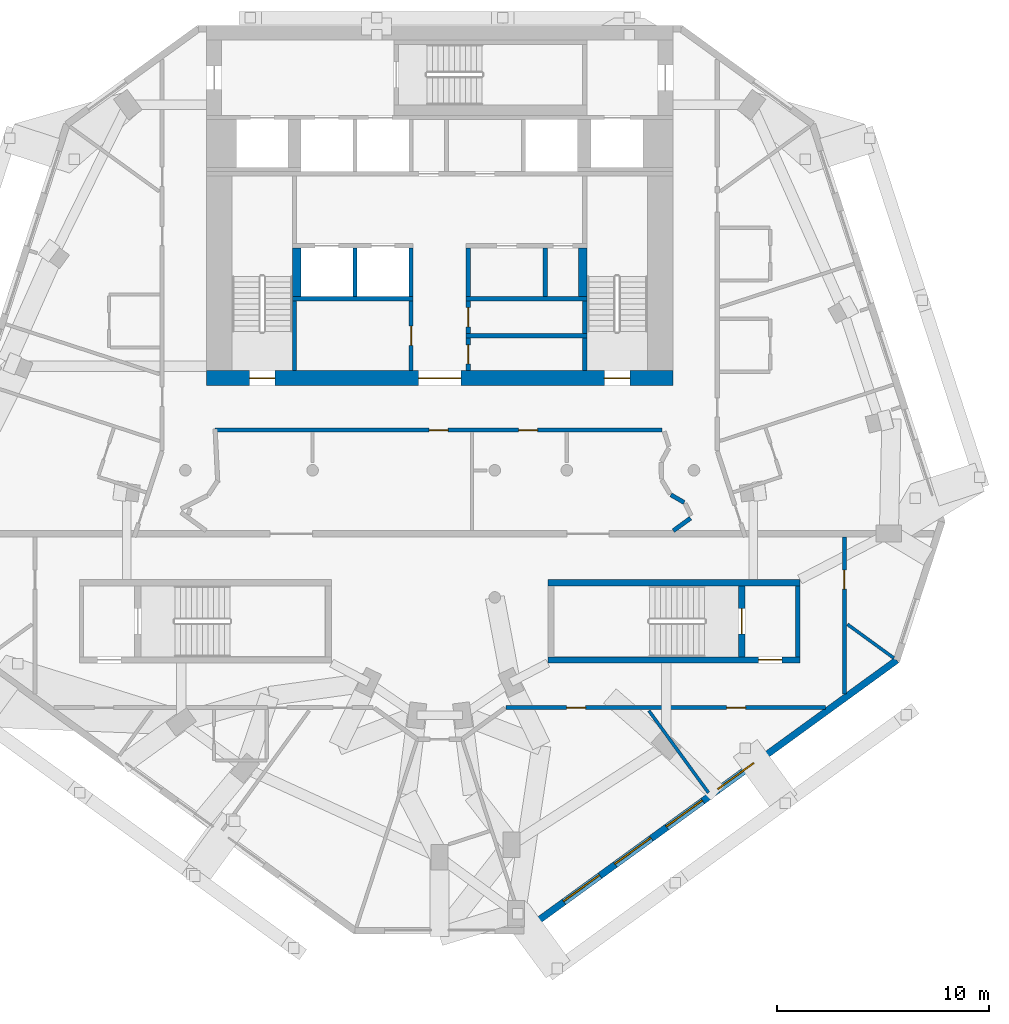
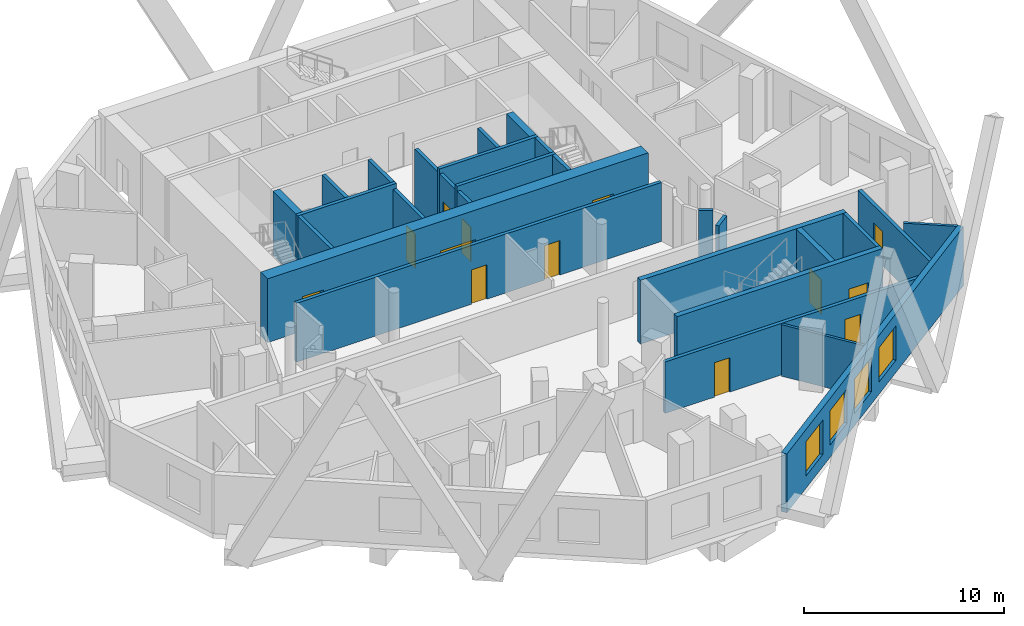
# One storey, part 5 of 10: 28 walls, 13 doors, 4 windows, 17 openings.
"""IFC4 building model written with IfcOpenShell, lengths in metres."""

from ifc_helpers import new_model, si_unit, direction, frame, frame_2d, origin, place, context, subcontext, project, spatial, rectangle, extrude, material, layer, layer_set, type_object, element, fill, save


model = new_model("IFC4")

# Units and contexts
model_context = context("Model", 3, precision=1e-05, world=origin(), true_north=direction((0.0, 1.0)))
body_context = subcontext(model_context, "Body", "Model", "MODEL_VIEW")
ifc_project = project(units=[si_unit("LENGTHUNIT", "METRE"), si_unit("AREAUNIT", "SQUARE_METRE"), si_unit("VOLUMEUNIT", "CUBIC_METRE"), si_unit("PLANEANGLEUNIT", "RADIAN"), si_unit("MASSUNIT", "GRAM", prefix="KILO")], contexts=[model_context])

# Site, building, storey
site_placement = place(None, origin())
site = spatial("IfcSite", under=ifc_project, at=site_placement, CompositionType="ELEMENT")
building_placement = place(site_placement, origin())
building = spatial("IfcBuilding", under=site, at=building_placement, Name="White Candle Pilgrim Tower", CompositionType="ELEMENT")
storey_placement = place(building_placement, frame((0.0, 0.0, 248.300048828125)))
storey = spatial("IfcBuildingStorey", under=building, at=storey_placement, Name="L58", CompositionType="ELEMENT", Elevation=248.300048828125)

# Wall
ifc_material_1 = material(Name="Concrete C50/60", Category="concrete")
ifc_layer_1 = layer(ifc_material_1, 0.199951171875)
ifc_layer_set_1 = layer_set([ifc_layer_1], Name="Core wall 200 mm Concrete C50/60")
wall_type_1 = type_object("IfcWallType", Name="Core wall 200 mm Concrete C50/60", PredefinedType="SHEAR", material=ifc_layer_set_1)
wall_1_placement = place(storey_placement, frame((86.89990234375, 58.199951171875, 0.0), z_axis=(0.0, 0.0, 1.0), x_axis=(0.0, 1.0, 0.0)))
element("IfcWall", 1, at=wall_1_placement, inside=storey, type_object=wall_type_1, Name="WL-L58-C08", PredefinedType="SHEAR", context=body_context, shape_type="SweptSolid", body=[
    extrude(rectangle(XDim=3.35009765625, YDim=0.199951171875, at=frame_2d((1.675048828125, 0.0))), origin(), (0.0, 0.0, 1.0), 3.89990234375),
])

# Wall, opening, door
ifc_material_2 = material(Name="Gypsum board on steel studs", Category="steel")
ifc_layer_2 = layer(ifc_material_2, 0.199951171875)
ifc_layer_set_2 = layer_set([ifc_layer_2], Name="Corridor wall 200 mm EI 45")
wall_type_2 = type_object("IfcWallType", Name="Corridor wall 200 mm EI 45", PredefinedType="PARTITIONING", material=ifc_layer_set_2)
wall_2_placement = place(storey_placement, frame((89.10009765625, 63.85009765625, 0.0), z_axis=(0.0, 0.0, 1.0), x_axis=(0.0, -1.0, 0.0)))
wall_2 = element("IfcWall", 2, at=wall_2_placement, inside=storey, type_object=wall_type_2, Name="WL-L58-P006", PredefinedType="PARTITIONING", context=body_context, shape_type="SweptSolid", body=[
    extrude(rectangle(XDim=7.40673828125, YDim=0.199951171875, at=frame_2d((3.703369140625, 0.0))), origin(), (0.0, 0.0, 1.0), 3.14990234375),
])
opening_1_placement = place(wall_2_placement, frame((1.5576171875, 0.0, 0.0)))
opening_1 = element("IfcOpeningElement", 3, at=opening_1_placement, cuts=wall_2, Name="Opening T18-111", PredefinedType="OPENING", context=body_context, shape_type="SweptSolid", body=[
    extrude(rectangle(XDim=0.89990234375, YDim=2.10009765625, at=frame_2d((0.449951171875, 1.050048828125))), frame((0.0, 0.10986328125, 0.0), z_axis=(0.0, -1.0, 0.0), x_axis=(1.0, 0.0, 0.0)), (0.0, 0.0, 1.0), 0.219970703125),
])
ifc_material_3 = material(Name="Steel door leaf", Category="steel")
door_type_1 = type_object("IfcDoorType", Name="Fire door 900 x 2100 EI 30", OperationType="NOTDEFINED", PredefinedType="DOOR", material=ifc_material_3)
door_1_placement = place(opening_1_placement, origin())
door_1 = element("IfcDoor", 4, at=door_1_placement, inside=storey, type_object=door_type_1, Name="Door T18-111", OperationType="SINGLE_SWING_LEFT", OverallHeight=2.10009765625, OverallWidth=0.89990234375, PredefinedType="DOOR", context=body_context, shape_type="SweptSolid", body=[
    extrude(rectangle(XDim=0.89990234375, YDim=2.10009765625, at=frame_2d((0.449951171875, 1.050048828125))), frame((0.0, 0.02490234375, 0.0), z_axis=(0.0, -1.0, 0.0), x_axis=(1.0, 0.0, 0.0)), (0.0, 0.0, 1.0), 0.050048828125),
])
fill(opening_1, door_1)

# Wall, openings, doors
wall_3_placement = place(storey_placement, frame((88.21435546875, 55.800048828125, 0.0), z_axis=(0.0, 0.0, 1.0), x_axis=(-1.0, 0.0, 0.0)))
wall_3 = element("IfcWall", 5, at=wall_3_placement, inside=storey, type_object=wall_type_2, Name="WL-L58-P007", PredefinedType="PARTITIONING", context=body_context, shape_type="SweptSolid", body=[
    extrude(rectangle(XDim=15.074951171875, YDim=0.199951171875, at=frame_2d((7.53759765625, 0.0))), origin(), (0.0, 0.0, 1.0), 3.14990234375),
])
opening_2_placement = place(wall_3_placement, frame((11.327392578125, 0.0, 0.0)))
opening_2 = element("IfcOpeningElement", 6, at=opening_2_placement, cuts=wall_3, Name="Opening T18-109", PredefinedType="OPENING", context=body_context, shape_type="SweptSolid", body=[
    extrude(rectangle(XDim=0.89990234375, YDim=2.10009765625, at=frame_2d((0.449951171875, 1.050048828125))), frame((0.0, 0.10986328125, 0.0), z_axis=(0.0, -1.0, 0.0), x_axis=(1.0, 0.0, 0.0)), (0.0, 0.0, 1.0), 0.219970703125),
])
opening_3_placement = place(wall_3_placement, frame((3.773681640625, 0.0, 0.0)))
opening_3 = element("IfcOpeningElement", 7, at=opening_3_placement, cuts=wall_3, Name="Opening T18-110", PredefinedType="OPENING", context=body_context, shape_type="SweptSolid", body=[
    extrude(rectangle(XDim=0.89990234375, YDim=2.10009765625, at=frame_2d((0.449951171875, 1.050048828125))), frame((0.0, 0.10986328125, 0.0), z_axis=(0.0, -1.0, 0.0), x_axis=(1.0, 0.0, 0.0)), (0.0, 0.0, 1.0), 0.219970703125),
])
door_2_placement = place(opening_2_placement, origin())
door_2 = element("IfcDoor", 8, at=door_2_placement, inside=storey, type_object=door_type_1, Name="Door T18-109", OperationType="SINGLE_SWING_LEFT", OverallHeight=2.10009765625, OverallWidth=0.89990234375, PredefinedType="DOOR", context=body_context, shape_type="SweptSolid", body=[
    extrude(rectangle(XDim=0.89990234375, YDim=2.10009765625, at=frame_2d((0.449951171875, 1.050048828125))), frame((0.0, 0.02490234375, 0.0), z_axis=(0.0, -1.0, 0.0), x_axis=(1.0, 0.0, 0.0)), (0.0, 0.0, 1.0), 0.050048828125),
])
fill(opening_2, door_2)
door_3_placement = place(opening_3_placement, origin())
door_3 = element("IfcDoor", 9, at=door_3_placement, inside=storey, type_object=door_type_1, Name="Door T18-110", OperationType="SINGLE_SWING_RIGHT", OverallHeight=2.10009765625, OverallWidth=0.89990234375, PredefinedType="DOOR", context=body_context, shape_type="SweptSolid", body=[
    extrude(rectangle(XDim=0.89990234375, YDim=2.10009765625, at=frame_2d((0.449951171875, 1.050048828125))), frame((0.0, 0.02490234375, 0.0), z_axis=(0.0, -1.0, 0.0), x_axis=(1.0, 0.0, 0.0)), (0.0, 0.0, 1.0), 0.050048828125),
])
fill(opening_3, door_3)

# Wall
wall_4_placement = place(storey_placement, frame((81.539306640625, 65.480224609375, 0.0), z_axis=(0.0, 0.0, 1.0), x_axis=(-0.866039913117, 0.499974868256, 0.0)))
element("IfcWall", 10, at=wall_4_placement, inside=storey, type_object=wall_type_2, Name="WL-L58-P013", PredefinedType="PARTITIONING", context=body_context, shape_type="SweptSolid", body=[
    extrude(rectangle(XDim=0.7255859375, YDim=0.199951171875, at=frame_2d((0.36279296875, 0.0))), origin(), (0.0, 0.0, 1.0), 3.599853515625),
])

# Wall, openings, doors
wall_5_placement = place(storey_placement, frame((80.498291015625, 68.89990234375, 0.0), z_axis=(0.0, 0.0, 1.0), x_axis=(-1.0, 0.0, 0.0)))
wall_5 = element("IfcWall", 11, at=wall_5_placement, inside=storey, type_object=wall_type_2, Name="WL-L58-P018", PredefinedType="PARTITIONING", context=body_context, shape_type="SweptSolid", body=[
    extrude(rectangle(XDim=21.09521484375, YDim=0.199951171875, at=frame_2d((10.547607421875, 0.0))), origin(), (0.0, 0.0, 1.0), 3.599853515625),
])
opening_4_placement = place(wall_5_placement, frame((5.878662109375, 0.0, 0.0)))
opening_4 = element("IfcOpeningElement", 12, at=opening_4_placement, cuts=wall_5, Name="Opening T18-125", PredefinedType="OPENING", context=body_context, shape_type="SweptSolid", body=[
    extrude(rectangle(XDim=0.89990234375, YDim=2.10009765625, at=frame_2d((0.449951171875, 1.050048828125))), frame((0.0, 0.10986328125, 0.0), z_axis=(0.0, -1.0, 0.0), x_axis=(1.0, 0.0, 0.0)), (0.0, 0.0, 1.0), 0.219970703125),
])
opening_5_placement = place(wall_5_placement, frame((10.09765625, 0.0, 0.0)))
opening_5 = element("IfcOpeningElement", 13, at=opening_5_placement, cuts=wall_5, Name="Opening T18-126", PredefinedType="OPENING", context=body_context, shape_type="SweptSolid", body=[
    extrude(rectangle(XDim=0.89990234375, YDim=2.10009765625, at=frame_2d((0.449951171875, 1.050048828125))), frame((0.0, 0.10986328125, 0.0), z_axis=(0.0, -1.0, 0.0), x_axis=(1.0, 0.0, 0.0)), (0.0, 0.0, 1.0), 0.219970703125),
])
door_4_placement = place(opening_4_placement, origin())
door_4 = element("IfcDoor", 14, at=door_4_placement, inside=storey, type_object=door_type_1, Name="Door T18-125", OperationType="SINGLE_SWING_LEFT", OverallHeight=2.10009765625, OverallWidth=0.89990234375, PredefinedType="DOOR", context=body_context, shape_type="SweptSolid", body=[
    extrude(rectangle(XDim=0.89990234375, YDim=2.10009765625, at=frame_2d((0.449951171875, 1.050048828125))), frame((0.0, 0.02490234375, 0.0), z_axis=(0.0, -1.0, 0.0), x_axis=(1.0, 0.0, 0.0)), (0.0, 0.0, 1.0), 0.050048828125),
])
fill(opening_4, door_4)
door_5_placement = place(opening_5_placement, origin())
door_5 = element("IfcDoor", 15, at=door_5_placement, inside=storey, type_object=door_type_1, Name="Door T18-126", OperationType="SINGLE_SWING_RIGHT", OverallHeight=2.10009765625, OverallWidth=0.89990234375, PredefinedType="DOOR", context=body_context, shape_type="SweptSolid", body=[
    extrude(rectangle(XDim=0.89990234375, YDim=2.10009765625, at=frame_2d((0.449951171875, 1.050048828125))), frame((0.0, 0.02490234375, 0.0), z_axis=(0.0, -1.0, 0.0), x_axis=(1.0, 0.0, 0.0)), (0.0, 0.0, 1.0), 0.050048828125),
])
fill(opening_5, door_5)

# Wall
wall_6_placement = place(storey_placement, frame((81.02685546875, 64.14990234375, 0.0), z_axis=(0.0, 0.0, 1.0), x_axis=(0.808967693003, 0.587853103826, 0.0)))
element("IfcWall", 16, at=wall_6_placement, inside=storey, type_object=wall_type_2, Name="WL-L58-P023", PredefinedType="PARTITIONING", context=body_context, shape_type="SweptSolid", body=[
    extrude(rectangle(XDim=1.00244140625, YDim=0.199951171875, at=frame_2d((0.501220703125, 0.0))), origin(), (0.0, 0.0, 1.0), 3.599853515625),
])

# Wall, openings, windows
ifc_material_4 = material(Name="Precast concrete C40/50", Category="concrete")
ifc_layer_3 = layer(ifc_material_4, 0.320068359375)
ifc_layer_set_3 = layer_set([ifc_layer_3], Name="Facade wall EW1 precast concrete C40/50 pier wall with timber-lined reveals")
wall_type_3 = type_object("IfcWallType", Name="Facade wall EW1 precast concrete C40/50 pier wall with timber-lined reveals", PredefinedType="SOLIDWALL", material=ifc_layer_set_3)
wall_7_placement = place(storey_placement, frame((73.98876953125, 45.2666015625, 0.0), z_axis=(0.0, 0.0, 1.0), x_axis=(0.809018242367, 0.587783534575, 0.0)))
wall_7 = element("IfcWall", 17, at=wall_7_placement, inside=storey, type_object=wall_type_3, Name="Facade wall L58 SE", PredefinedType="SOLIDWALL", context=body_context, shape_type="SweptSolid", body=[
    extrude(rectangle(XDim=21.73193359375, YDim=0.320068359375, at=frame_2d((10.865966796875, 0.0))), origin(), (0.0, 0.0, 1.0), 3.599853515625),
])
opening_6_placement = place(wall_7_placement, frame((2.31591796875, 0.0, 0.75)))
opening_6 = element("IfcOpeningElement", 18, at=opening_6_placement, cuts=wall_7, Name="Opening W3", PredefinedType="OPENING", context=body_context, shape_type="SweptSolid", body=[
    extrude(rectangle(XDim=2.10009765625, YDim=2.10009765625, at=frame_2d((1.050048828125, 1.050048828125))), frame((0.0, 0.169921875, 0.0), z_axis=(0.0, -1.0, 0.0), x_axis=(1.0, 0.0, 0.0)), (0.0, 0.0, 1.0), 0.340087890625),
])
opening_7_placement = place(wall_7_placement, frame((5.31591796875, 0.0, 0.75)))
opening_7 = element("IfcOpeningElement", 19, at=opening_7_placement, cuts=wall_7, Name="Opening W3", PredefinedType="OPENING", context=body_context, shape_type="SweptSolid", body=[
    extrude(rectangle(XDim=2.10009765625, YDim=2.10009765625, at=frame_2d((1.050048828125, 1.050048828125))), frame((0.0, 0.169921875, 0.0), z_axis=(0.0, -1.0, 0.0), x_axis=(1.0, 0.0, 0.0)), (0.0, 0.0, 1.0), 0.340087890625),
])
opening_8_placement = place(wall_7_placement, frame((8.31591796875, 0.0, 0.75)))
opening_8 = element("IfcOpeningElement", 20, at=opening_8_placement, cuts=wall_7, Name="Opening W3", PredefinedType="OPENING", context=body_context, shape_type="SweptSolid", body=[
    extrude(rectangle(XDim=2.10009765625, YDim=2.10009765625, at=frame_2d((1.050048828125, 1.050048828125))), frame((0.0, 0.169921875, 0.0), z_axis=(0.0, -1.0, 0.0), x_axis=(1.0, 0.0, 0.0)), (0.0, 0.0, 1.0), 0.340087890625),
])
opening_9_placement = place(wall_7_placement, frame((11.31591796875, 0.0, 0.75)))
opening_9 = element("IfcOpeningElement", 21, at=opening_9_placement, cuts=wall_7, Name="Opening W3", PredefinedType="OPENING", context=body_context, shape_type="SweptSolid", body=[
    extrude(rectangle(XDim=2.10009765625, YDim=2.10009765625, at=frame_2d((1.050048828125, 1.050048828125))), frame((0.0, 0.169921875, 0.0), z_axis=(0.0, -1.0, 0.0), x_axis=(1.0, 0.0, 0.0)), (0.0, 0.0, 1.0), 0.340087890625),
])
ifc_material_5 = material(Name="Timber frame with triple glazing", Category="wood")
window_type = type_object("IfcWindowType", Name="Window W3 2100x2100 timber frame triple glazing", PartitioningType="SINGLE_PANEL", PredefinedType="WINDOW", material=ifc_material_5)
window_1_placement = place(opening_6_placement, origin())
window_1 = element("IfcWindow", 22, at=window_1_placement, inside=storey, type_object=window_type, Name="Window W3 L58 SE 1", OverallHeight=2.10009765625, OverallWidth=2.10009765625, PartitioningType="SINGLE_PANEL", PredefinedType="WINDOW", context=body_context, shape_type="SweptSolid", body=[
    extrude(rectangle(XDim=2.10009765625, YDim=2.10009765625, at=frame_2d((1.050048828125, 1.050048828125))), frame((0.0, 0.070068359375, 0.0), z_axis=(0.0, -1.0, 0.0), x_axis=(1.0, 0.0, 0.0)), (0.0, 0.0, 1.0), 0.06005859375),
])
fill(opening_6, window_1)
window_2_placement = place(opening_7_placement, origin())
window_2 = element("IfcWindow", 23, at=window_2_placement, inside=storey, type_object=window_type, Name="Window W3 L58 SE 2", OverallHeight=2.10009765625, OverallWidth=2.10009765625, PartitioningType="SINGLE_PANEL", PredefinedType="WINDOW", context=body_context, shape_type="SweptSolid", body=[
    extrude(rectangle(XDim=2.10009765625, YDim=2.10009765625, at=frame_2d((1.050048828125, 1.050048828125))), frame((0.0, 0.070068359375, 0.0), z_axis=(0.0, -1.0, 0.0), x_axis=(1.0, 0.0, 0.0)), (0.0, 0.0, 1.0), 0.06005859375),
])
fill(opening_7, window_2)
window_3_placement = place(opening_8_placement, origin())
window_3 = element("IfcWindow", 24, at=window_3_placement, inside=storey, type_object=window_type, Name="Window W3 L58 SE 3", OverallHeight=2.10009765625, OverallWidth=2.10009765625, PartitioningType="SINGLE_PANEL", PredefinedType="WINDOW", context=body_context, shape_type="SweptSolid", body=[
    extrude(rectangle(XDim=2.10009765625, YDim=2.10009765625, at=frame_2d((1.050048828125, 1.050048828125))), frame((0.0, 0.070068359375, 0.0), z_axis=(0.0, -1.0, 0.0), x_axis=(1.0, 0.0, 0.0)), (0.0, 0.0, 1.0), 0.06005859375),
])
fill(opening_8, window_3)
window_4_placement = place(opening_9_placement, origin())
window_4 = element("IfcWindow", 25, at=window_4_placement, inside=storey, type_object=window_type, Name="Window W3 L58 SE 4", OverallHeight=2.10009765625, OverallWidth=2.10009765625, PartitioningType="SINGLE_PANEL", PredefinedType="WINDOW", context=body_context, shape_type="SweptSolid", body=[
    extrude(rectangle(XDim=2.10009765625, YDim=2.10009765625, at=frame_2d((1.050048828125, 1.050048828125))), frame((0.0, 0.070068359375, 0.0), z_axis=(0.0, -1.0, 0.0), x_axis=(1.0, 0.0, 0.0)), (0.0, 0.0, 1.0), 0.06005859375),
])
fill(opening_9, window_4)

# Wall, opening, door
ifc_layer_4 = layer(ifc_material_2, 0.199951171875)
ifc_layer_set_4 = layer_set([ifc_layer_4], Name="Lobby wall 200 mm EI 60")
wall_type_4 = type_object("IfcWallType", Name="Lobby wall 200 mm EI 60", PredefinedType="PARTITIONING", material=ifc_layer_set_4)
wall_8_placement = place(storey_placement, frame((68.64990234375, 71.699951171875, 0.0), z_axis=(0.0, 0.0, 1.0), x_axis=(0.0, 1.0, 0.0)))
wall_8 = element("IfcWall", 26, at=wall_8_placement, inside=storey, type_object=wall_type_4, Name="WL-L58-C14", PredefinedType="PARTITIONING", context=body_context, shape_type="SweptSolid", body=[
    extrude(rectangle(XDim=3.300048828125, YDim=0.199951171875, at=frame_2d((1.64990234375, 0.0))), origin(), (0.0, 0.0, 1.0), 3.599853515625),
])
opening_10_placement = place(wall_8_placement, frame((1.199951171875, 0.0, 0.0)))
opening_10 = element("IfcOpeningElement", 27, at=opening_10_placement, cuts=wall_8, Name="Opening T18-005", PredefinedType="OPENING", context=body_context, shape_type="SweptSolid", body=[
    extrude(rectangle(XDim=0.89990234375, YDim=2.10009765625, at=frame_2d((0.449951171875, 1.050048828125))), frame((0.0, 0.10986328125, 0.0), z_axis=(0.0, -1.0, 0.0), x_axis=(1.0, 0.0, 0.0)), (0.0, 0.0, 1.0), 0.219970703125),
])
door_6_placement = place(opening_10_placement, origin())
door_6 = element("IfcDoor", 28, at=door_6_placement, inside=storey, type_object=door_type_1, Name="Door T18-005", OperationType="SINGLE_SWING_LEFT", OverallHeight=2.10009765625, OverallWidth=0.89990234375, PredefinedType="DOOR", context=body_context, shape_type="SweptSolid", body=[
    extrude(rectangle(XDim=0.89990234375, YDim=2.10009765625, at=frame_2d((0.449951171875, 1.050048828125))), frame((0.0, 0.02490234375, 0.0), z_axis=(0.0, -1.0, 0.0), x_axis=(1.0, 0.0, 0.0)), (0.0, 0.0, 1.0), 0.050048828125),
])
fill(opening_10, door_6)

wall_9_placement = place(storey_placement, frame((71.35009765625, 71.699951171875, 0.0), z_axis=(0.0, 0.0, 1.0), x_axis=(0.0, 1.0, 0.0)))
wall_9 = element("IfcWall", 29, at=wall_9_placement, inside=storey, type_object=wall_type_4, Name="WL-L58-C15", PredefinedType="PARTITIONING", context=body_context, shape_type="SweptSolid", body=[
    extrude(rectangle(XDim=1.550048828125, YDim=0.199951171875, at=frame_2d((0.77490234375, 0.0))), origin(), (0.0, 0.0, 1.0), 3.599853515625),
])
opening_11_placement = place(wall_9_placement, frame((0.324951171875, 0.0, 0.0)))
opening_11 = element("IfcOpeningElement", 30, at=opening_11_placement, cuts=wall_9, Name="Opening T18-006", PredefinedType="OPENING", context=body_context, shape_type="SweptSolid", body=[
    extrude(rectangle(XDim=0.89990234375, YDim=2.10009765625, at=frame_2d((0.449951171875, 1.050048828125))), frame((0.0, 0.10986328125, 0.0), z_axis=(0.0, -1.0, 0.0), x_axis=(1.0, 0.0, 0.0)), (0.0, 0.0, 1.0), 0.219970703125),
])
door_7_placement = place(opening_11_placement, origin())
door_7 = element("IfcDoor", 31, at=door_7_placement, inside=storey, type_object=door_type_1, Name="Door T18-006", OperationType="SINGLE_SWING_RIGHT", OverallHeight=2.10009765625, OverallWidth=0.89990234375, PredefinedType="DOOR", context=body_context, shape_type="SweptSolid", body=[
    extrude(rectangle(XDim=0.89990234375, YDim=2.10009765625, at=frame_2d((0.449951171875, 1.050048828125))), frame((0.0, 0.02490234375, 0.0), z_axis=(0.0, -1.0, 0.0), x_axis=(1.0, 0.0, 0.0)), (0.0, 0.0, 1.0), 0.050048828125),
])
fill(opening_11, door_7)

wall_10_placement = place(storey_placement, frame((71.35009765625, 73.449951171875, 0.0), z_axis=(0.0, 0.0, 1.0), x_axis=(0.0, 1.0, 0.0)))
wall_10 = element("IfcWall", 32, at=wall_10_placement, inside=storey, type_object=wall_type_4, Name="WL-L58-C19", PredefinedType="PARTITIONING", context=body_context, shape_type="SweptSolid", body=[
    extrude(rectangle(XDim=1.550048828125, YDim=0.199951171875, at=frame_2d((0.77490234375, 0.0))), origin(), (0.0, 0.0, 1.0), 3.599853515625),
])
opening_12_placement = place(wall_10_placement, frame((0.324951171875, 0.0, 0.0)))
opening_12 = element("IfcOpeningElement", 33, at=opening_12_placement, cuts=wall_10, Name="Opening T18-007", PredefinedType="OPENING", context=body_context, shape_type="SweptSolid", body=[
    extrude(rectangle(XDim=0.89990234375, YDim=2.10009765625, at=frame_2d((0.449951171875, 1.050048828125))), frame((0.0, 0.10986328125, 0.0), z_axis=(0.0, -1.0, 0.0), x_axis=(1.0, 0.0, 0.0)), (0.0, 0.0, 1.0), 0.219970703125),
])
door_8_placement = place(opening_12_placement, origin())
door_8 = element("IfcDoor", 34, at=door_8_placement, inside=storey, type_object=door_type_1, Name="Door T18-007", OperationType="SINGLE_SWING_LEFT", OverallHeight=2.10009765625, OverallWidth=0.89990234375, PredefinedType="DOOR", context=body_context, shape_type="SweptSolid", body=[
    extrude(rectangle(XDim=0.89990234375, YDim=2.10009765625, at=frame_2d((0.449951171875, 1.050048828125))), frame((0.0, 0.02490234375, 0.0), z_axis=(0.0, -1.0, 0.0), x_axis=(1.0, 0.0, 0.0)), (0.0, 0.0, 1.0), 0.050048828125),
])
fill(opening_12, door_8)

# Walls
for number, where, z_axis, x_axis, name in (
    (35, (71.35009765625, 75.199951171875, 0.0), (0.0, 0.0, 1.0), (0.0, 1.0, 0.0), "WL-L58-C26"),
    (36, (74.97998046875, 75.199951171875, 0.0), (0.0, 0.0, 1.0), (0.0, 1.0, 0.0), "WL-L58-C27"),
):
    element("IfcWall", number, at=place(storey_placement, frame(where, z_axis=z_axis, x_axis=x_axis)), inside=storey, type_object=wall_type_4, Name=name, PredefinedType="PARTITIONING", context=body_context, shape_type="SweptSolid", body=[
        extrude(rectangle(XDim=2.300048828125, YDim=0.199951171875, at=frame_2d((1.14990234375, 0.0))), origin(), (0.0, 0.0, 1.0), 3.599853515625),
    ])
ifc_layer_5 = layer(ifc_material_2, 0.14990234375)
ifc_layer_set_5 = layer_set([ifc_layer_5], Name="Partition 150 mm EI 60")
wall_type_5 = type_object("IfcWallType", Name="Partition 150 mm EI 60", PredefinedType="PARTITIONING", material=ifc_layer_set_5)
wall_11_placement = place(storey_placement, frame((91.43408203125, 58.13916015625, 0.0), z_axis=(0.0, 0.0, 1.0), x_axis=(-0.808977814749, 0.587839174642, 0.0)))
element("IfcWall", 37, at=wall_11_placement, inside=storey, type_object=wall_type_5, Name="WL-L58-P029", PredefinedType="PARTITIONING", context=body_context, shape_type="SweptSolid", body=[
    extrude(rectangle(XDim=2.70703125, YDim=0.14990234375, at=frame_2d((1.353515625, 0.0))), origin(), (0.0, 0.0, 1.0), 3.599853515625),
])
wall_12_placement = place(storey_placement, frame((82.685302734375, 51.782958984375, 0.0), z_axis=(0.0, 0.0, 1.0), x_axis=(-0.587756190128, 0.809038108476, 0.0)))
element("IfcWall", 38, at=wall_12_placement, inside=storey, type_object=wall_type_5, Name="WL-L58-P043", PredefinedType="PARTITIONING", context=body_context, shape_type="SweptSolid", body=[
    extrude(rectangle(XDim=4.787109375, YDim=0.14990234375, at=frame_2d((2.3935546875, 0.0))), origin(), (0.0, 0.0, 1.0), 3.14990234375),
])
ifc_layer_6 = layer(ifc_material_1, 0.199951171875)
ifc_layer_set_6 = layer_set([ifc_layer_6], Name="Shaft wall 200 mm Concrete C50/60")
wall_type_6 = type_object("IfcWallType", Name="Shaft wall 200 mm Concrete C50/60", PredefinedType="SHEAR", material=ifc_layer_set_6)
for number, where, z_axis, x_axis, name in (
    (39, (66.0, 75.199951171875, 0.0), (0.0, 0.0, 1.0), (0.0, 1.0, 0.0), "WL-L58-C24"),
    (40, (68.64990234375, 75.199951171875, 0.0), (0.0, 0.0, 1.0), (0.0, 1.0, 0.0), "WL-L58-C25"),
):
    element("IfcWall", number, at=place(storey_placement, frame(where, z_axis=z_axis, x_axis=x_axis)), inside=storey, type_object=wall_type_6, Name=name, PredefinedType="SHEAR", context=body_context, shape_type="SweptSolid", body=[
        extrude(rectangle(XDim=2.300048828125, YDim=0.199951171875, at=frame_2d((1.14990234375, 0.0))), origin(), (0.0, 0.0, 1.0), 3.89990234375),
    ])
ifc_layer_7 = layer(ifc_material_1, 0.199951171875)
ifc_layer_set_7 = layer_set([ifc_layer_7], Name="Stair shaft wall 200 mm Concrete C50/60")
wall_type_7 = type_object("IfcWallType", Name="Stair shaft wall 200 mm Concrete C50/60", PredefinedType="SHEAR", material=ifc_layer_set_7)
wall_13_placement = place(storey_placement, frame((63.14990234375, 71.699951171875, 0.0), z_axis=(0.0, 0.0, 1.0), x_axis=(0.0, 1.0, 0.0)))
element("IfcWall", 41, at=wall_13_placement, inside=storey, type_object=wall_type_7, Name="WL-L58-C13", PredefinedType="SHEAR", context=body_context, shape_type="SweptSolid", body=[
    extrude(rectangle(XDim=3.300048828125, YDim=0.199951171875, at=frame_2d((1.64990234375, 0.0))), origin(), (0.0, 0.0, 1.0), 3.89990234375),
])
wall_14_placement = place(storey_placement, frame((76.85009765625, 71.699951171875, 0.0), z_axis=(0.0, 0.0, 1.0), x_axis=(0.0, 1.0, 0.0)))
element("IfcWall", 42, at=wall_14_placement, inside=storey, type_object=wall_type_7, Name="WL-L58-C16", PredefinedType="SHEAR", context=body_context, shape_type="SweptSolid", body=[
    extrude(rectangle(XDim=1.550048828125, YDim=0.199951171875, at=frame_2d((0.77490234375, 0.0))), origin(), (0.0, 0.0, 1.0), 3.89990234375),
])
wall_15_placement = place(storey_placement, frame((71.25, 73.35009765625, 0.0), z_axis=(0.0, 0.0, 1.0), x_axis=(1.0, 0.0, 0.0)))
element("IfcWall", 43, at=wall_15_placement, inside=storey, type_object=wall_type_7, Name="WL-L58-C18", PredefinedType="SHEAR", context=body_context, shape_type="SweptSolid", body=[
    extrude(rectangle(XDim=5.699951171875, YDim=0.199951171875, at=frame_2d((2.85009765625, 0.0))), origin(), (0.0, 0.0, 1.0), 3.89990234375),
])
wall_16_placement = place(storey_placement, frame((76.85009765625, 73.449951171875, 0.0), z_axis=(0.0, 0.0, 1.0), x_axis=(0.0, 1.0, 0.0)))
element("IfcWall", 44, at=wall_16_placement, inside=storey, type_object=wall_type_7, Name="WL-L58-C20", PredefinedType="SHEAR", context=body_context, shape_type="SweptSolid", body=[
    extrude(rectangle(XDim=1.550048828125, YDim=0.199951171875, at=frame_2d((0.77490234375, 0.0))), origin(), (0.0, 0.0, 1.0), 3.89990234375),
])
for number, where, z_axis, x_axis, name in (
    (45, (63.050048828125, 75.10009765625, 0.0), (0.0, 0.0, 1.0), (1.0, 0.0, 0.0), "WL-L58-C21"),
    (46, (71.25, 75.10009765625, 0.0), (0.0, 0.0, 1.0), (1.0, 0.0, 0.0), "WL-L58-C22"),
):
    element("IfcWall", number, at=place(storey_placement, frame(where, z_axis=z_axis, x_axis=x_axis)), inside=storey, type_object=wall_type_7, Name=name, PredefinedType="SHEAR", context=body_context, shape_type="SweptSolid", body=[
        extrude(rectangle(XDim=5.699951171875, YDim=0.199951171875, at=frame_2d((2.85009765625, 0.0))), origin(), (0.0, 0.0, 1.0), 3.89990234375),
    ])

# Wall, opening, door
ifc_layer_8 = layer(ifc_material_1, 0.300048828125)
ifc_layer_set_8 = layer_set([ifc_layer_8], Name="Stair shaft wall 300 mm Concrete C50/60")
wall_type_8 = type_object("IfcWallType", Name="Stair shaft wall 300 mm Concrete C50/60", PredefinedType="SHEAR", material=ifc_layer_set_8)
wall_17_placement = place(storey_placement, frame((75.10009765625, 58.050048828125, 0.0), z_axis=(0.0, 0.0, 1.0), x_axis=(1.0, 0.0, 0.0)))
wall_17 = element("IfcWall", 47, at=wall_17_placement, inside=storey, type_object=wall_type_8, Name="WL-L58-C02", PredefinedType="SHEAR", context=body_context, shape_type="SweptSolid", body=[
    extrude(rectangle(XDim=11.89990234375, YDim=0.300048828125, at=frame_2d((5.949951171875, 0.0))), origin(), (0.0, 0.0, 1.0), 3.89990234375),
])
opening_13_placement = place(wall_17_placement, frame((9.949951171875, 0.0, 0.0)))
opening_13 = element("IfcOpeningElement", 48, at=opening_13_placement, cuts=wall_17, Name="Opening T18-012", PredefinedType="OPENING", context=body_context, shape_type="SweptSolid", body=[
    extrude(rectangle(XDim=1.10009765625, YDim=2.10009765625, at=frame_2d((0.550048828125, 1.050048828125))), frame((0.0, 0.159912109375, 0.0), z_axis=(0.0, -1.0, 0.0), x_axis=(1.0, 0.0, 0.0)), (0.0, 0.0, 1.0), 0.320068359375),
])
door_type_2 = type_object("IfcDoorType", Name="Fire door 1100 x 2100 EI 60", OperationType="NOTDEFINED", PredefinedType="DOOR", material=ifc_material_3)
door_9_placement = place(opening_13_placement, origin())
door_9 = element("IfcDoor", 49, at=door_9_placement, inside=storey, type_object=door_type_2, Name="Door T18-012", OperationType="SINGLE_SWING_RIGHT", OverallHeight=2.10009765625, OverallWidth=1.10009765625, PredefinedType="DOOR", context=body_context, shape_type="SweptSolid", body=[
    extrude(rectangle(XDim=1.10009765625, YDim=2.10009765625, at=frame_2d((0.550048828125, 1.050048828125))), frame((0.0, 0.02490234375, 0.0), z_axis=(0.0, -1.0, 0.0), x_axis=(1.0, 0.0, 0.0)), (0.0, 0.0, 1.0), 0.050048828125),
])
fill(opening_13, door_9)

wall_18_placement = place(storey_placement, frame((84.25, 58.199951171875, 0.0), z_axis=(0.0, 0.0, 1.0), x_axis=(0.0, 1.0, 0.0)))
wall_18 = element("IfcWall", 50, at=wall_18_placement, inside=storey, type_object=wall_type_8, Name="WL-L58-C07", PredefinedType="SHEAR", context=body_context, shape_type="SweptSolid", body=[
    extrude(rectangle(XDim=3.35009765625, YDim=0.300048828125, at=frame_2d((1.675048828125, 0.0))), origin(), (0.0, 0.0, 1.0), 3.89990234375),
])
opening_14_placement = place(wall_18_placement, frame((1.074951171875, 0.0, 0.0)))
opening_14 = element("IfcOpeningElement", 51, at=opening_14_placement, cuts=wall_18, Name="Opening T18-013", PredefinedType="OPENING", context=body_context, shape_type="SweptSolid", body=[
    extrude(rectangle(XDim=1.199951171875, YDim=2.10009765625, at=frame_2d((0.60009765625, 1.050048828125))), frame((0.0, 0.159912109375, 0.0), z_axis=(0.0, -1.0, 0.0), x_axis=(1.0, 0.0, 0.0)), (0.0, 0.0, 1.0), 0.320068359375),
])
door_type_3 = type_object("IfcDoorType", Name="Fire door 1200 x 2100 EI 60", OperationType="NOTDEFINED", PredefinedType="DOOR", material=ifc_material_3)
door_10_placement = place(opening_14_placement, origin())
door_10 = element("IfcDoor", 52, at=door_10_placement, inside=storey, type_object=door_type_3, Name="Door T18-013", OperationType="SINGLE_SWING_LEFT", OverallHeight=2.10009765625, OverallWidth=1.199951171875, PredefinedType="DOOR", context=body_context, shape_type="SweptSolid", body=[
    extrude(rectangle(XDim=1.199951171875, YDim=2.10009765625, at=frame_2d((0.60009765625, 1.050048828125))), frame((0.0, 0.02490234375, 0.0), z_axis=(0.0, -1.0, 0.0), x_axis=(1.0, 0.0, 0.0)), (0.0, 0.0, 1.0), 0.050048828125),
])
fill(opening_14, door_10)

# Walls
wall_19_placement = place(storey_placement, frame((75.10009765625, 61.699951171875, 0.0), z_axis=(0.0, 0.0, 1.0), x_axis=(1.0, 0.0, 0.0)))
element("IfcWall", 53, at=wall_19_placement, inside=storey, type_object=wall_type_8, Name="WL-L58-C10", PredefinedType="SHEAR", context=body_context, shape_type="SweptSolid", body=[
    extrude(rectangle(XDim=11.89990234375, YDim=0.300048828125, at=frame_2d((5.949951171875, 0.0))), origin(), (0.0, 0.0, 1.0), 3.89990234375),
])
ifc_layer_9 = layer(ifc_material_1, 0.39990234375)
ifc_layer_set_9 = layer_set([ifc_layer_9], Name="Stair shaft wall 400 mm Concrete C50/60")
wall_type_9 = type_object("IfcWallType", Name="Stair shaft wall 400 mm Concrete C50/60", PredefinedType="SHEAR", material=ifc_layer_set_9)
for number, where, z_axis, x_axis, name in (
    (54, (63.25, 75.199951171875, 0.0), (0.0, 0.0, 1.0), (0.0, 1.0, 0.0), "WL-L58-C23"),
    (55, (76.75, 75.199951171875, 0.0), (0.0, 0.0, 1.0), (0.0, 1.0, 0.0), "WL-L58-C28"),
):
    element("IfcWall", number, at=place(storey_placement, frame(where, z_axis=z_axis, x_axis=x_axis)), inside=storey, type_object=wall_type_9, Name=name, PredefinedType="SHEAR", context=body_context, shape_type="SweptSolid", body=[
        extrude(rectangle(XDim=2.300048828125, YDim=0.39990234375, at=frame_2d((1.14990234375, 0.0))), origin(), (0.0, 0.0, 1.0), 3.89990234375),
    ])

# Wall, openings, doors
ifc_layer_10 = layer(ifc_material_1, 0.699951171875)
ifc_layer_set_10 = layer_set([ifc_layer_10], Name="Stair shaft wall 700 mm Concrete C50/60")
wall_type_10 = type_object("IfcWallType", Name="Stair shaft wall 700 mm Concrete C50/60", PredefinedType="SHEAR", material=ifc_layer_set_10)
wall_20_placement = place(storey_placement, frame((59.0, 71.35009765625, 0.0), z_axis=(0.0, 0.0, 1.0), x_axis=(1.0, 0.0, 0.0)))
wall_20 = element("IfcWall", 56, at=wall_20_placement, inside=storey, type_object=wall_type_10, Name="WL-L58-C11", PredefinedType="SHEAR", context=body_context, shape_type="SweptSolid", body=[
    extrude(rectangle(XDim=22.0, YDim=0.699951171875, at=frame_2d((11.0, 0.0))), origin(), (0.0, 0.0, 1.0), 3.89990234375),
])
opening_15_placement = place(wall_20_placement, frame((2.02490234375, 0.0, 0.0)))
opening_15 = element("IfcOpeningElement", 57, at=opening_15_placement, cuts=wall_20, Name="Opening T18-001", PredefinedType="OPENING", context=body_context, shape_type="SweptSolid", body=[
    extrude(rectangle(XDim=1.199951171875, YDim=2.10009765625, at=frame_2d((0.60009765625, 1.050048828125))), frame((0.0, 0.35986328125, 0.0), z_axis=(0.0, -1.0, 0.0), x_axis=(1.0, 0.0, 0.0)), (0.0, 0.0, 1.0), 0.719970703125),
])
opening_16_placement = place(wall_20_placement, frame((18.77490234375, 0.0, 0.0)))
opening_16 = element("IfcOpeningElement", 58, at=opening_16_placement, cuts=wall_20, Name="Opening T18-002", PredefinedType="OPENING", context=body_context, shape_type="SweptSolid", body=[
    extrude(rectangle(XDim=1.199951171875, YDim=2.10009765625, at=frame_2d((0.60009765625, 1.050048828125))), frame((0.0, 0.35986328125, 0.0), z_axis=(0.0, -1.0, 0.0), x_axis=(1.0, 0.0, 0.0)), (0.0, 0.0, 1.0), 0.719970703125),
])
opening_17_placement = place(wall_20_placement, frame((10.0, 0.0, 0.0)))
opening_17 = element("IfcOpeningElement", 59, at=opening_17_placement, cuts=wall_20, Name="Opening T18-004", PredefinedType="OPENING", context=body_context, shape_type="SweptSolid", body=[
    extrude(rectangle(XDim=2.0, YDim=2.10009765625, at=frame_2d((1.0, 1.050048828125))), frame((0.0, 0.35986328125, 0.0), z_axis=(0.0, -1.0, 0.0), x_axis=(1.0, 0.0, 0.0)), (0.0, 0.0, 1.0), 0.719970703125),
])
door_11_placement = place(opening_15_placement, frame((1.199951171875, 0.0, 0.0), z_axis=(0.0, 0.0, 1.0), x_axis=(-1.0, 0.0, 0.0)))
door_11 = element("IfcDoor", 60, at=door_11_placement, inside=storey, type_object=door_type_3, Name="Door T18-001", OperationType="SINGLE_SWING_RIGHT", OverallHeight=2.10009765625, OverallWidth=1.199951171875, PredefinedType="DOOR", context=body_context, shape_type="SweptSolid", body=[
    extrude(rectangle(XDim=1.199951171875, YDim=2.10009765625, at=frame_2d((0.60009765625, 1.050048828125))), frame((0.0, 0.02490234375, 0.0), z_axis=(0.0, -1.0, 0.0), x_axis=(1.0, 0.0, 0.0)), (0.0, 0.0, 1.0), 0.050048828125),
])
fill(opening_15, door_11)
door_12_placement = place(opening_16_placement, frame((1.199951171875, 0.0, 0.0), z_axis=(0.0, 0.0, 1.0), x_axis=(-1.0, 0.0, 0.0)))
door_12 = element("IfcDoor", 61, at=door_12_placement, inside=storey, type_object=door_type_3, Name="Door T18-002", OperationType="SINGLE_SWING_LEFT", OverallHeight=2.10009765625, OverallWidth=1.199951171875, PredefinedType="DOOR", context=body_context, shape_type="SweptSolid", body=[
    extrude(rectangle(XDim=1.199951171875, YDim=2.10009765625, at=frame_2d((0.60009765625, 1.050048828125))), frame((0.0, 0.02490234375, 0.0), z_axis=(0.0, -1.0, 0.0), x_axis=(1.0, 0.0, 0.0)), (0.0, 0.0, 1.0), 0.050048828125),
])
fill(opening_16, door_12)
door_type_4 = type_object("IfcDoorType", Name="Fire door 2000 x 2100 EI 60", OperationType="NOTDEFINED", PredefinedType="DOOR", material=ifc_material_3)
door_13_placement = place(opening_17_placement, frame((2.0, 0.0, 0.0), z_axis=(0.0, 0.0, 1.0), x_axis=(-1.0, 0.0, 0.0)))
door_13 = element("IfcDoor", 62, at=door_13_placement, inside=storey, type_object=door_type_4, Name="Door T18-004", OperationType="DOUBLE_DOOR_SINGLE_SWING", OverallHeight=2.10009765625, OverallWidth=2.0, PredefinedType="DOOR", context=body_context, shape_type="SweptSolid", body=[
    extrude(rectangle(XDim=2.0, YDim=2.10009765625, at=frame_2d((1.0, 1.050048828125))), frame((0.0, 0.02490234375, 0.0), z_axis=(0.0, -1.0, 0.0), x_axis=(1.0, 0.0, 0.0)), (0.0, 0.0, 1.0), 0.050048828125),
])
fill(opening_17, door_13)

save(model, "model.ifc")
